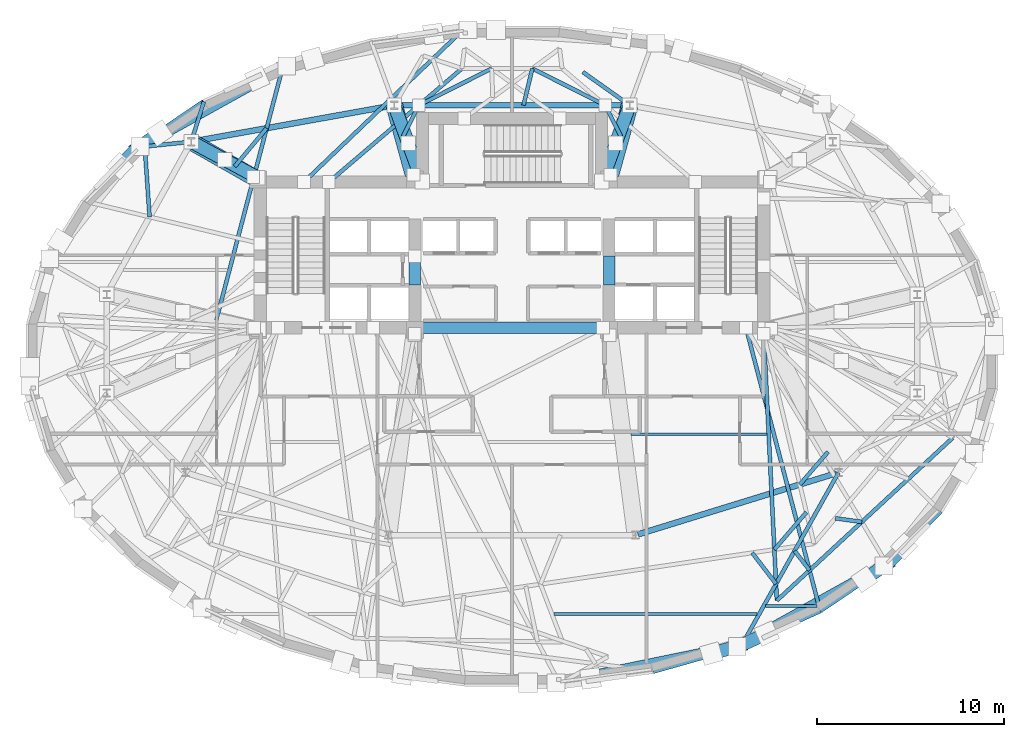
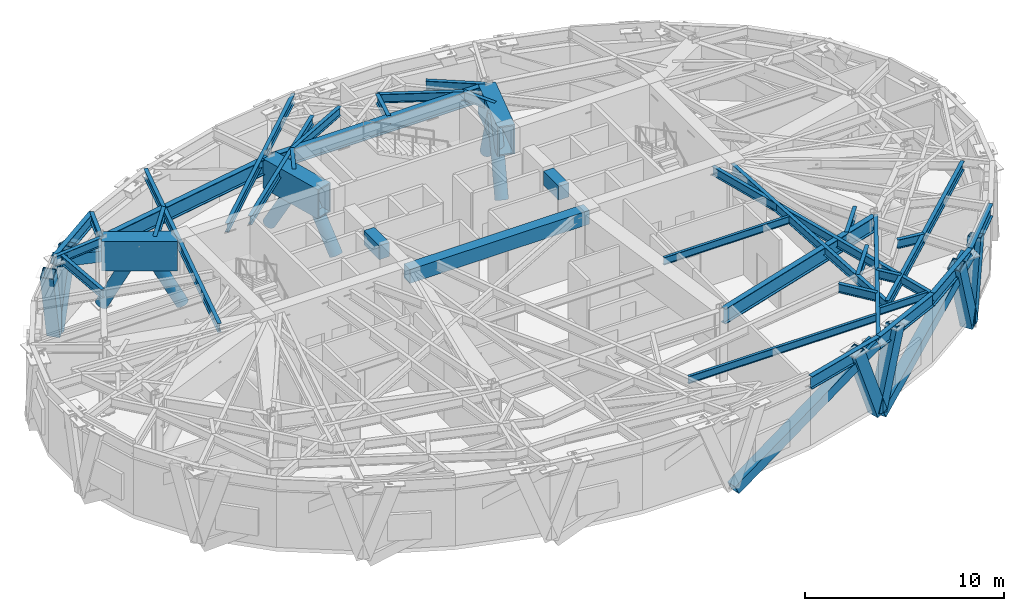
# One storey, part 3 of 13: 39 beams, 15 members.
"""IFC4 building model written with IfcOpenShell, lengths in metres."""

from ifc_helpers import new_model, si_unit, direction, frame, origin, origin_2d, place, context, subcontext, project, spatial, rectangle, hollow_rectangle, hollow_circle, i_section, extrude, material, material_profile, profile_set, type_object, element, save


model = new_model("IFC4")

# Units and contexts
model_context = context("Model", 3, precision=1e-05, world=origin(), true_north=direction((0.0, 1.0)))
body_context = subcontext(model_context, "Body", "Model", "MODEL_VIEW")
ifc_project = project(units=[si_unit("LENGTHUNIT", "METRE"), si_unit("AREAUNIT", "SQUARE_METRE"), si_unit("VOLUMEUNIT", "CUBIC_METRE"), si_unit("PLANEANGLEUNIT", "RADIAN"), si_unit("MASSUNIT", "GRAM", prefix="KILO")], contexts=[model_context])

# Site, building, storey
site_placement = place(None, origin())
site = spatial("IfcSite", under=ifc_project, at=site_placement, CompositionType="ELEMENT")
building_placement = place(site_placement, origin())
building = spatial("IfcBuilding", under=site, at=building_placement, Name="Keldmark Tower", CompositionType="ELEMENT")
storey_placement = place(building_placement, frame((0.0, 0.0, 135.10009765625)))
storey = spatial("IfcBuildingStorey", under=building, at=storey_placement, Name="L36", CompositionType="ELEMENT", Elevation=135.10009765625)

# Members
ifc_material_1 = material(Name="Steel ASTM A572 Grade 50", Category="steel")
ifc_material_profile_1 = material_profile(ifc_material_1, hollow_rectangle(XDim=0.60009765625, YDim=0.60009765625, WallThickness=0.034912109375, at=origin_2d()), Name="BOX600X600X35")
ifc_profile_set_1 = profile_set([ifc_material_profile_1], Name="Steel ASTM A572 Grade 50")
member_type_1 = type_object("IfcMemberType", Name="Belt Truss Diagonal Brace BOX600", PredefinedType="BRACE", material=ifc_profile_set_1)
member_1_placement = place(storey_placement, frame((-12.3974609375, 15.409912109375, -0.5400390625), z_axis=(-0.773682596343, -0.430203298473, 0.465124028727), x_axis=(0.485970599988, -0.873975157512, 0.0)))
element("IfcMember", 1, at=member_1_placement, inside=storey, type_object=member_type_1, Name="L36 Perimeter Belt Truss Brace 06", PredefinedType="BRACE", context=body_context, shape_type="SweptSolid", body=[
    extrude(hollow_rectangle(XDim=0.60009765625, YDim=0.60009765625, WallThickness=0.034912109375, at=origin_2d()), origin(), (0.0, 0.0, 1.0), 9.7177734375),
])
member_2_placement = place(storey_placement, frame((2.742431640625, -17.448486328125, -0.5400390625), z_axis=(0.884550085139, 0.181847127087, 0.429537855434), x_axis=(-0.201370198855, 0.979515208158, 0.0)))
element("IfcMember", 2, at=member_2_placement, inside=storey, type_object=member_type_1, Name="L36 Perimeter Belt Truss Brace 13", PredefinedType="BRACE", context=body_context, shape_type="SweptSolid", body=[
    extrude(hollow_rectangle(XDim=0.60009765625, YDim=0.60009765625, WallThickness=0.034912109375, at=origin_2d()), origin(), (0.0, 0.0, 1.0), 10.52294921875),
])
member_3_placement = place(storey_placement, frame((12.3974609375, -15.409912109375, -0.5400390625), z_axis=(0.773682596343, 0.430203298473, 0.465124028727), x_axis=(-0.485970599988, 0.873975157512, 0.0)))
element("IfcMember", 3, at=member_3_placement, inside=storey, type_object=member_type_1, Name="L36 Perimeter Belt Truss Brace 14", PredefinedType="BRACE", context=body_context, shape_type="SweptSolid", body=[
    extrude(hollow_rectangle(XDim=0.60009765625, YDim=0.60009765625, WallThickness=0.034912109375, at=origin_2d()), origin(), (0.0, 0.0, 1.0), 9.7177734375),
])

# Beams
ifc_material_2 = material(Name="Steel ASTM A992 Grade 50", Category="steel")
ifc_material_profile_2 = material_profile(ifc_material_2, i_section(OverallWidth=0.153076171875, OverallDepth=0.455078125, WebThickness=0.008056640625, FlangeThickness=0.01318359375, at=origin_2d()), Name="W18X40")
ifc_profile_set_2 = profile_set([ifc_material_profile_2], Name="Steel ASTM A992 Grade 50")
beam_type_1 = type_object("IfcBeamType", Name="Composite Floor Joist W18X40", PredefinedType="JOIST", material=ifc_profile_set_2)
beam_1_placement = place(storey_placement, frame((2.239501953125, -13.800048828125, 4.052490234375), z_axis=(1.0, 0.0, 0.0), x_axis=(0.0, 1.0, 0.0)))
element("IfcBeam", 4, at=beam_1_placement, inside=storey, type_object=beam_type_1, Name="L36 Composite Floor Joist J03", PredefinedType="JOIST", context=body_context, shape_type="SweptSolid", body=[
    extrude(i_section(OverallWidth=0.153076171875, OverallDepth=0.455078125, WebThickness=0.008056640625, FlangeThickness=0.01318359375, at=origin_2d()), origin(), (0.0, 0.0, 1.0), 10.881591796875),
])
beam_2_placement = place(storey_placement, frame((13.578125, -13.3798828125, 4.052490234375), z_axis=(1.0, 0.0, 0.0), x_axis=(0.0, 1.0, 0.0)))
element("IfcBeam", 5, at=beam_2_placement, inside=storey, type_object=beam_type_1, Name="L36 Composite Floor Joist J04", PredefinedType="JOIST", context=body_context, shape_type="SweptSolid", body=[
    extrude(i_section(OverallWidth=0.153076171875, OverallDepth=0.455078125, WebThickness=0.008056640625, FlangeThickness=0.01318359375, at=origin_2d()), origin(), (0.0, 0.0, 1.0), 2.753662109375),
])
beam_3_placement = place(storey_placement, frame((6.36279296875, -4.179931640625, 4.052490234375), z_axis=(1.0, 0.0, 0.0), x_axis=(0.0, 1.0, 0.0)))
element("IfcBeam", 6, at=beam_3_placement, inside=storey, type_object=beam_type_1, Name="L36 Composite Floor Joist J08", PredefinedType="JOIST", context=body_context, shape_type="SweptSolid", body=[
    extrude(i_section(OverallWidth=0.153076171875, OverallDepth=0.455078125, WebThickness=0.008056640625, FlangeThickness=0.01318359375, at=origin_2d()), origin(), (0.0, 0.0, 1.0), 7.281005859375),
])
ifc_material_3 = material(Name="Concrete C50/60", Category="concrete")
ifc_material_profile_3 = material_profile(ifc_material_3, rectangle(XDim=0.60009765625, YDim=0.85009765625, at=origin_2d()), Name="RCB600X850")
ifc_profile_set_3 = profile_set([ifc_material_profile_3], Name="Concrete C50/60")
beam_type_2 = type_object("IfcBeamType", Name="Core Coupling Beam RCB600X850", PredefinedType="USERDEFINED", material=ifc_profile_set_3)
for number, where, z_axis, x_axis, name in (
    (7, (-5.199951171875, 3.800048828125, 3.85498046875), (0.0, 1.0, 0.0), (-1.0, 0.0, 0.0), "L36 West Core Coupling Beam"),
    (8, (5.199951171875, 3.800048828125, 3.85498046875), (0.0, 1.0, 0.0), (-1.0, 0.0, 0.0), "L36 East Core Coupling Beam"),
):
    element("IfcBeam", number, at=place(storey_placement, frame(where, z_axis=z_axis, x_axis=x_axis)), inside=storey, type_object=beam_type_2, Name=name, ObjectType="COUPLING BEAM", PredefinedType="USERDEFINED", context=body_context, shape_type="SweptSolid", body=[
        extrude(rectangle(XDim=0.60009765625, YDim=0.85009765625, at=origin_2d()), origin(), (0.0, 0.0, 1.0), 1.550048828125),
    ])
beam_4_placement = place(storey_placement, frame((-5.199951171875, 1.52490234375, 3.85498046875), z_axis=(1.0, 0.0, 0.0), x_axis=(0.0, 1.0, 0.0)))
element("IfcBeam", 9, at=beam_4_placement, inside=storey, type_object=beam_type_2, Name="L36 Central South Core Coupling Beam", ObjectType="COUPLING BEAM", PredefinedType="USERDEFINED", context=body_context, shape_type="SweptSolid", body=[
    extrude(rectangle(XDim=0.60009765625, YDim=0.85009765625, at=origin_2d()), origin(), (0.0, 0.0, 1.0), 10.39990234375),
])

# Members
ifc_material_4 = material(Name="Steel ASTM A572 Grade 50", Category="steel")
ifc_material_profile_4 = material_profile(ifc_material_4, hollow_rectangle(XDim=0.699951171875, YDim=0.699951171875, WallThickness=0.044921875, at=origin_2d()), Name="BOX700X700X45")
ifc_profile_set_4 = profile_set([ifc_material_profile_4], Name="Steel ASTM A572 Grade 50")
member_type_2 = type_object("IfcMemberType", Name="Diagrid Zone 2 Brace BOX700X700X45", PredefinedType="BRACE", material=ifc_profile_set_4)
member_4_placement = place(storey_placement, frame((-20.060302734375, 11.131591796875, -0.320068359375), z_axis=(0.25512105982, 0.17289752784, 0.951325228144), x_axis=(-0.561011794198, 0.82780780787, 0.0)))
element("IfcMember", 10, at=member_4_placement, inside=storey, type_object=member_type_2, Name="L36 Perimeter Diagrid Brace 06B", PredefinedType="BRACE", context=body_context, shape_type="SweptSolid", body=[
    extrude(hollow_rectangle(XDim=0.699951171875, YDim=0.699951171875, WallThickness=0.044921875, at=origin_2d()), origin(), (0.0, 0.0, 1.0), 4.709228515625),
])
member_5_placement = place(storey_placement, frame((-20.052001953125, 11.139892578125, -0.320068359375), z_axis=(-0.201791819377, -0.204662629016, 0.957806488763), x_axis=(0.712083352897, -0.702094935552, 0.0)))
element("IfcMember", 11, at=member_5_placement, inside=storey, type_object=member_type_2, Name="L36 Perimeter Diagrid Brace 07A", PredefinedType="BRACE", context=body_context, shape_type="SweptSolid", body=[
    extrude(hollow_rectangle(XDim=0.699951171875, YDim=0.699951171875, WallThickness=0.044921875, at=origin_2d()), origin(), (0.0, 0.0, 1.0), 4.67724609375),
])
member_6_placement = place(storey_placement, frame((12.239013671875, -15.482177734375, -0.320068359375), z_axis=(-0.329279843453, -0.092382711911, 0.939702197101), x_axis=(0.270129760861, -0.962823925906, 0.0)))
element("IfcMember", 12, at=member_6_placement, inside=storey, type_object=member_type_2, Name="L36 Perimeter Diagrid Brace 13B", PredefinedType="BRACE", context=body_context, shape_type="SweptSolid", body=[
    extrude(hollow_rectangle(XDim=0.699951171875, YDim=0.699951171875, WallThickness=0.044921875, at=origin_2d()), origin(), (0.0, 0.0, 1.0), 4.767333984375),
])
member_7_placement = place(storey_placement, frame((12.22802734375, -15.486572265625, -0.320068359375), z_axis=(0.297968595123, 0.134925288493, 0.944992001472), x_axis=(-0.412497692818, 0.910958645285, 0.0)))
element("IfcMember", 13, at=member_7_placement, inside=storey, type_object=member_type_2, Name="L36 Perimeter Diagrid Brace 14A", PredefinedType="BRACE", context=body_context, shape_type="SweptSolid", body=[
    extrude(hollow_rectangle(XDim=0.699951171875, YDim=0.699951171875, WallThickness=0.044921875, at=origin_2d()), origin(), (0.0, 0.0, 1.0), 4.74072265625),
])
member_8_placement = place(storey_placement, frame((20.060302734375, -11.131591796875, -0.320068359375), z_axis=(-0.25512105982, -0.17289752784, 0.951325228144), x_axis=(0.561011794198, -0.82780780787, 0.0)))
element("IfcMember", 14, at=member_8_placement, inside=storey, type_object=member_type_2, Name="L36 Perimeter Diagrid Brace 14B", PredefinedType="BRACE", context=body_context, shape_type="SweptSolid", body=[
    extrude(hollow_rectangle(XDim=0.699951171875, YDim=0.699951171875, WallThickness=0.044921875, at=origin_2d()), origin(), (0.0, 0.0, 1.0), 4.709228515625),
])
member_9_placement = place(storey_placement, frame((20.052001953125, -11.139892578125, -0.320068359375), z_axis=(0.201791819377, 0.204662629016, 0.957806488763), x_axis=(-0.712083352897, 0.702094935552, 0.0)))
element("IfcMember", 15, at=member_9_placement, inside=storey, type_object=member_type_2, Name="L36 Perimeter Diagrid Brace 15A", PredefinedType="BRACE", context=body_context, shape_type="SweptSolid", body=[
    extrude(hollow_rectangle(XDim=0.699951171875, YDim=0.699951171875, WallThickness=0.044921875, at=origin_2d()), origin(), (0.0, 0.0, 1.0), 4.67724609375),
])

# Beams
ifc_material_5 = material(Name="Steel ASTM A992 Grade 50", Category="steel")
ifc_material_profile_5 = material_profile(ifc_material_5, i_section(OverallWidth=0.31005859375, OverallDepth=0.931884765625, WebThickness=0.02099609375, FlangeThickness=0.034423828125, at=origin_2d()), Name="W36X210")
ifc_profile_set_5 = profile_set([ifc_material_profile_5], Name="Steel ASTM A992 Grade 50")
beam_type_3 = type_object("IfcBeamType", Name="Outrigger Chord Girder W36X210", PredefinedType="BEAM", material=ifc_profile_set_5)
beam_5_placement = place(storey_placement, frame((6.15869140625, 13.4326171875, 3.81396484375), z_axis=(-1.0, 0.0, 0.0), x_axis=(0.0, -1.0, 0.0)))
element("IfcBeam", 16, at=beam_5_placement, inside=storey, type_object=beam_type_3, Name="L36 Floor Ring Girder FG-R03", PredefinedType="BEAM", context=body_context, shape_type="SweptSolid", body=[
    extrude(i_section(OverallWidth=0.31005859375, OverallDepth=0.931884765625, WebThickness=0.02099609375, FlangeThickness=0.034423828125, at=origin_2d()), origin(), (0.0, 0.0, 1.0), 12.3173828125),
])
beam_6_placement = place(storey_placement, frame((-6.4365234375, 13.40771484375, 3.81396484375), z_axis=(-0.984218266992, -0.176958760505, 0.0), x_axis=(0.176958760505, -0.984218266992, 0.0)))
element("IfcBeam", 17, at=beam_6_placement, inside=storey, type_object=beam_type_3, Name="L36 Floor Ring Girder FG-R04", PredefinedType="BEAM", context=body_context, shape_type="SweptSolid", body=[
    extrude(i_section(OverallWidth=0.31005859375, OverallDepth=0.931884765625, WebThickness=0.02099609375, FlangeThickness=0.034423828125, at=origin_2d()), origin(), (0.0, 0.0, 1.0), 10.7626953125),
])
beam_7_placement = place(storey_placement, frame((6.74658203125, -9.5380859375, 3.81396484375), z_axis=(0.955607954968, 0.294641199432, 0.0), x_axis=(-0.294641199432, 0.955607954968, 0.0)))
element("IfcBeam", 18, at=beam_7_placement, inside=storey, type_object=beam_type_3, Name="L36 Floor Ring Girder FG-R10", PredefinedType="BEAM", context=body_context, shape_type="SweptSolid", body=[
    extrude(i_section(OverallWidth=0.31005859375, OverallDepth=0.931884765625, WebThickness=0.02099609375, FlangeThickness=0.034423828125, at=origin_2d()), origin(), (0.0, 0.0, 1.0), 11.089111328125),
])

# Members
ifc_material_6 = material(Name="Steel ASTM A572 Grade 50", Category="steel")
ifc_material_profile_6 = material_profile(ifc_material_6, hollow_circle(Radius=0.35009765625, WallThickness=0.031982421875, at=origin_2d()), Name="CHS700X32")
ifc_profile_set_6 = profile_set([ifc_material_profile_6], Name="Steel ASTM A572 Grade 50")
member_type_3 = type_object("IfcMemberType", Name="Outrigger Web Strut CHS700X32", PredefinedType="STRUT", material=ifc_profile_set_6)
for number, where, z_axis, x_axis, name in (
    (19, (-13.60009765625, 9.550048828125, 0.14990234375), (-0.411543763932, 0.222475882788, 0.883819105896), (-0.475549777611, -0.879688813737, 0.0), "L36 Core Outrigger Truss Strut 03A"),
    (20, (-17.1669921875, 11.478271484375, 0.14990234375), (0.411543763932, -0.222475882788, 0.883819105896), (0.475549777611, 0.879688813737, 0.0), "L36 Core Outrigger Truss Strut 03B"),
):
    element("IfcMember", number, at=place(storey_placement, frame(where, z_axis=z_axis, x_axis=x_axis)), inside=storey, type_object=member_type_3, Name=name, PredefinedType="STRUT", context=body_context, shape_type="SweptSolid", body=[
        extrude(hollow_circle(Radius=0.35009765625, WallThickness=0.031982421875, at=origin_2d()), origin(), (0.0, 0.0, 1.0), 4.33349609375),
    ])
member_10_placement = place(storey_placement, frame((-4.800048828125, 9.35009765625, 0.14990234375), z_axis=(-0.170127151433, 0.463428799602, 0.869649642123), x_axis=(-0.938743169615, -0.344617558319, 0.0)))
element("IfcMember", 21, at=member_10_placement, inside=storey, type_object=member_type_3, Name="L36 Core Outrigger Truss Strut 04A", PredefinedType="STRUT", context=body_context, shape_type="SweptSolid", body=[
    extrude(hollow_circle(Radius=0.35009765625, WallThickness=0.031982421875, at=origin_2d()), origin(), (0.0, 0.0, 1.0), 4.404052734375),
])
member_11_placement = place(storey_placement, frame((-6.298828125, 13.4326171875, 0.14990234375), z_axis=(0.170172236278, -0.463511478748, 0.869596756589), x_axis=(0.938733516428, 0.344643852599, 0.0)))
element("IfcMember", 22, at=member_11_placement, inside=storey, type_object=member_type_3, Name="L36 Core Outrigger Truss Strut 04B", PredefinedType="STRUT", context=body_context, shape_type="SweptSolid", body=[
    extrude(hollow_circle(Radius=0.35009765625, WallThickness=0.031982421875, at=origin_2d()), origin(), (0.0, 0.0, 1.0), 4.404541015625),
])
member_12_placement = place(storey_placement, frame((4.800048828125, 9.35009765625, 0.14990234375), z_axis=(0.170127151433, 0.463428799602, 0.869649642123), x_axis=(-0.938743169615, 0.344617558319, 0.0)))
element("IfcMember", 23, at=member_12_placement, inside=storey, type_object=member_type_3, Name="L36 Core Outrigger Truss Strut 08A", PredefinedType="STRUT", context=body_context, shape_type="SweptSolid", body=[
    extrude(hollow_circle(Radius=0.35009765625, WallThickness=0.031982421875, at=origin_2d()), origin(), (0.0, 0.0, 1.0), 4.404052734375),
])
member_13_placement = place(storey_placement, frame((6.298828125, 13.4326171875, 0.14990234375), z_axis=(-0.170172236278, -0.463511478748, 0.869596756589), x_axis=(0.938733516428, -0.344643852599, 0.0)))
element("IfcMember", 24, at=member_13_placement, inside=storey, type_object=member_type_3, Name="L36 Core Outrigger Truss Strut 08B", PredefinedType="STRUT", context=body_context, shape_type="SweptSolid", body=[
    extrude(hollow_circle(Radius=0.35009765625, WallThickness=0.031982421875, at=origin_2d()), origin(), (0.0, 0.0, 1.0), 4.404541015625),
])

# Beams
ifc_material_7 = material(Name="Steel ASTM A572 Grade 50", Category="steel")
ifc_material_profile_7 = material_profile(ifc_material_7, hollow_rectangle(XDim=0.89990234375, YDim=1.800048828125, WallThickness=0.074951171875, at=origin_2d()), Name="TBOX1800X900X75")
ifc_profile_set_7 = profile_set([ifc_material_profile_7], Name="Steel ASTM A572 Grade 50")
beam_type_4 = type_object("IfcBeamType", Name="Perimeter Transfer Box Girder 1800x900", PredefinedType="USERDEFINED", material=ifc_profile_set_7)
for number, where, z_axis, x_axis, name in (
    (25, (6.298828125, 13.4326171875, 3.3798828125), (-0.265985873859, -0.963976926543, 0.0), (0.963976926543, -0.265985873859, 0.0), "L36 Upper Crown Transfer Box Girder UTB-TC-N2"),
    (26, (-6.298828125, 13.4326171875, 3.3798828125), (0.265985873859, -0.963976926543, 0.0), (0.963976926543, 0.265985873859, 0.0), "L36 Upper Crown Transfer Box Girder UTB-TC-N1"),
):
    element("IfcBeam", number, at=place(storey_placement, frame(where, z_axis=z_axis, x_axis=x_axis)), inside=storey, type_object=beam_type_4, Name=name, ObjectType="TRANSFER GIRDER", PredefinedType="USERDEFINED", context=body_context, shape_type="SweptSolid", body=[
        extrude(hollow_rectangle(XDim=0.89990234375, YDim=1.800048828125, WallThickness=0.074951171875, at=origin_2d()), origin(), (0.0, 0.0, 1.0), 3.851318359375),
    ])
beam_8_placement = place(storey_placement, frame((-17.1669921875, 11.478271484375, 3.3798828125), z_axis=(0.869282586619, -0.494315470728, 0.0), x_axis=(0.494315470728, 0.869282586619, 0.0)))
element("IfcBeam", 27, at=beam_8_placement, inside=storey, type_object=beam_type_4, Name="L36 Upper Crown Transfer Box Girder UTB-TC-W4", ObjectType="TRANSFER GIRDER", PredefinedType="USERDEFINED", context=body_context, shape_type="SweptSolid", body=[
    extrude(hollow_rectangle(XDim=0.89990234375, YDim=1.800048828125, WallThickness=0.074951171875, at=origin_2d()), origin(), (0.0, 0.0, 1.0), 3.8232421875),
])
ifc_material_8 = material(Name="Steel ASTM A992 Grade 50", Category="steel")
ifc_material_profile_8 = material_profile(ifc_material_8, i_section(OverallWidth=0.2099609375, OverallDepth=0.537109375, WebThickness=0.010986328125, FlangeThickness=0.017333984375, at=origin_2d()), Name="W21X68")
ifc_profile_set_8 = profile_set([ifc_material_profile_8], Name="Steel ASTM A992 Grade 50")
beam_type_5 = type_object("IfcBeamType", Name="Radial Tie Girder W21X68", PredefinedType="BEAM", material=ifc_profile_set_8)
for number, where, z_axis, x_axis, name in (
    (28, (5.837890625, 11.76171875, 4.011474609375), (-0.454487201878, 0.890753267369, 0.0), (-0.890753267369, -0.454487201878, 0.0), "L36 Framing Pin Header PH-001"),
    (29, (-5.837890625, 11.76171875, 4.011474609375), (0.454487201878, 0.890753267369, 0.0), (-0.890753267369, 0.454487201878, 0.0), "L36 Framing Pin Header PH-002"),
):
    element("IfcBeam", number, at=place(storey_placement, frame(where, z_axis=z_axis, x_axis=x_axis)), inside=storey, type_object=beam_type_5, Name=name, PredefinedType="BEAM", context=body_context, shape_type="SweptSolid", body=[
        extrude(i_section(OverallWidth=0.2099609375, OverallDepth=0.537109375, WebThickness=0.010986328125, FlangeThickness=0.017333984375, at=origin_2d()), origin(), (0.0, 0.0, 1.0), 1.875732421875),
    ])
beam_9_placement = place(storey_placement, frame((-9.8037109375, 9.324951171875, 4.011474609375), z_axis=(0.760995251501, 0.648757448661, 0.0), x_axis=(-0.648757448661, 0.760995251501, 0.0)))
element("IfcBeam", 30, at=beam_9_placement, inside=storey, type_object=beam_type_5, Name="L36 Sub-Ring Step Girder STP1-M04", PredefinedType="BEAM", context=body_context, shape_type="SweptSolid", body=[
    extrude(i_section(OverallWidth=0.2099609375, OverallDepth=0.537109375, WebThickness=0.010986328125, FlangeThickness=0.017333984375, at=origin_2d()), origin(), (0.0, 0.0, 1.0), 9.362060546875),
])
beam_10_placement = place(storey_placement, frame((16.914794921875, -5.12255859375, 4.011474609375), z_axis=(-0.653991620174, -0.756501791632, 0.0), x_axis=(0.756501791632, -0.653991620174, 0.0)))
element("IfcBeam", 31, at=beam_10_placement, inside=storey, type_object=beam_type_5, Name="L36 Framing Pin Header PH-006", PredefinedType="BEAM", context=body_context, shape_type="SweptSolid", body=[
    extrude(i_section(OverallWidth=0.2099609375, OverallDepth=0.537109375, WebThickness=0.010986328125, FlangeThickness=0.017333984375, at=origin_2d()), origin(), (0.0, 0.0, 1.0), 2.307861328125),
])
beam_11_placement = place(storey_placement, frame((15.76025390625, -8.350341796875, 4.011474609375), z_axis=(-0.651516031261, -0.758634866724, 0.0), x_axis=(0.758634866724, -0.651516031261, 0.0)))
element("IfcBeam", 32, at=beam_11_placement, inside=storey, type_object=beam_type_5, Name="L36 Framing Pin Header PH-013", PredefinedType="BEAM", context=body_context, shape_type="SweptSolid", body=[
    extrude(i_section(OverallWidth=0.2099609375, OverallDepth=0.537109375, WebThickness=0.010986328125, FlangeThickness=0.017333984375, at=origin_2d()), origin(), (0.0, 0.0, 1.0), 2.634765625),
])
beam_12_placement = place(storey_placement, frame((13.47509765625, 1.199951171875, 4.011474609375), z_axis=(0.049187993665, -0.998789538031, 0.0), x_axis=(0.998789538031, 0.049187993665, 0.0)))
element("IfcBeam", 33, at=beam_12_placement, inside=storey, type_object=beam_type_5, Name="L36 Sub-Ring Step Girder STP2-M11", PredefinedType="BEAM", context=body_context, shape_type="SweptSolid", body=[
    extrude(i_section(OverallWidth=0.2099609375, OverallDepth=0.537109375, WebThickness=0.010986328125, FlangeThickness=0.017333984375, at=origin_2d()), origin(), (0.0, 0.0, 1.0), 14.294677734375),
])
beam_13_placement = place(storey_placement, frame((14.17822265625, -13.077392578125, 4.011474609375), z_axis=(0.733970557795, 0.679181286764, 0.0), x_axis=(-0.679181286764, 0.733970557795, 0.0)))
element("IfcBeam", 34, at=beam_13_placement, inside=storey, type_object=beam_type_5, Name="L36 Perimeter Collector Ring Beam CRG2-M11", PredefinedType="BEAM", context=body_context, shape_type="SweptSolid", body=[
    extrude(i_section(OverallWidth=0.2099609375, OverallDepth=0.537109375, WebThickness=0.010986328125, FlangeThickness=0.017333984375, at=origin_2d()), origin(), (0.0, 0.0, 1.0), 12.81982421875),
])
beam_14_placement = place(storey_placement, frame((0.615966796875, 13.4326171875, 4.011474609375), z_axis=(0.234089763031, 0.972214987976, 0.0), x_axis=(-0.972214987976, 0.234089763031, 0.0)))
element("IfcBeam", 35, at=beam_14_placement, inside=storey, type_object=beam_type_5, Name="L36 Framing Pin Header PH-018", PredefinedType="BEAM", context=body_context, shape_type="SweptSolid", body=[
    extrude(i_section(OverallWidth=0.2099609375, OverallDepth=0.537109375, WebThickness=0.010986328125, FlangeThickness=0.017333984375, at=origin_2d()), origin(), (0.0, 0.0, 1.0), 2.022216796875),
])
beam_15_placement = place(storey_placement, frame((-14.840576171875, 10.155517578125, 4.011474609375), z_axis=(0.640634384202, 0.767846069065, 0.0), x_axis=(-0.767846069065, 0.640634384202, 0.0)))
element("IfcBeam", 36, at=beam_15_placement, inside=storey, type_object=beam_type_5, Name="L36 Framing Pin Header PH-020", PredefinedType="BEAM", context=body_context, shape_type="SweptSolid", body=[
    extrude(i_section(OverallWidth=0.2099609375, OverallDepth=0.537109375, WebThickness=0.010986328125, FlangeThickness=0.017333984375, at=origin_2d()), origin(), (0.0, 0.0, 1.0), 2.667724609375),
])
beam_16_placement = place(storey_placement, frame((-15.82861328125, 1.92578125, 4.011474609375), z_axis=(0.253808468075, 0.967254496776, 0.0), x_axis=(-0.967254496776, 0.253808468075, 0.0)))
element("IfcBeam", 37, at=beam_16_placement, inside=storey, type_object=beam_type_5, Name="L36 Perimeter Radial Tie Girder RT-11", PredefinedType="BEAM", context=body_context, shape_type="SweptSolid", body=[
    extrude(i_section(OverallWidth=0.2099609375, OverallDepth=0.537109375, WebThickness=0.010986328125, FlangeThickness=0.017333984375, at=origin_2d()), origin(), (0.0, 0.0, 1.0), 14.07470703125),
])
beam_17_placement = place(storey_placement, frame((-17.1669921875, 11.478271484375, 4.011474609375), z_axis=(0.299673911383, 0.954041690303, 0.0), x_axis=(-0.954041690303, 0.299673911383, 0.0)))
element("IfcBeam", 38, at=beam_17_placement, inside=storey, type_object=beam_type_5, Name="L36 Perimeter Column Bracket RT-12", PredefinedType="BEAM", context=body_context, shape_type="SweptSolid", body=[
    extrude(i_section(OverallWidth=0.2099609375, OverallDepth=0.537109375, WebThickness=0.010986328125, FlangeThickness=0.017333984375, at=origin_2d()), origin(), (0.0, 0.0, 1.0), 2.245361328125),
])
beam_18_placement = place(storey_placement, frame((-17.1669921875, 11.478271484375, 4.011474609375), z_axis=(-0.994793936975, -0.101906932829, 0.0), x_axis=(0.101906932829, -0.994793936975, 0.0)))
element("IfcBeam", 39, at=beam_18_placement, inside=storey, type_object=beam_type_5, Name="L36 Perimeter Column Bracket RT-13", PredefinedType="BEAM", context=body_context, shape_type="SweptSolid", body=[
    extrude(i_section(OverallWidth=0.2099609375, OverallDepth=0.537109375, WebThickness=0.010986328125, FlangeThickness=0.017333984375, at=origin_2d()), origin(), (0.0, 0.0, 1.0), 2.94677734375),
])
beam_19_placement = place(storey_placement, frame((-19.65869140625, 11.222900390625, 4.011474609375), z_axis=(0.068977361746, -0.997618225358, 0.0), x_axis=(0.997618225358, 0.068977361746, 0.0)))
element("IfcBeam", 40, at=beam_19_placement, inside=storey, type_object=beam_type_5, Name="L36 Framing Pin Header PH-021", PredefinedType="BEAM", context=body_context, shape_type="SweptSolid", body=[
    extrude(i_section(OverallWidth=0.2099609375, OverallDepth=0.537109375, WebThickness=0.010986328125, FlangeThickness=0.017333984375, at=origin_2d()), origin(), (0.0, 0.0, 1.0), 3.776611328125),
])
beam_20_placement = place(storey_placement, frame((12.857666015625, -10.5244140625, 4.011474609375), z_axis=(0.608360722771, -0.793660652288, 0.0), x_axis=(0.793660652288, 0.608360722771, 0.0)))
element("IfcBeam", 41, at=beam_20_placement, inside=storey, type_object=beam_type_5, Name="L36 Framing Pin Header PH-033", PredefinedType="BEAM", context=body_context, shape_type="SweptSolid", body=[
    extrude(i_section(OverallWidth=0.2099609375, OverallDepth=0.537109375, WebThickness=0.010986328125, FlangeThickness=0.017333984375, at=origin_2d()), origin(), (0.0, 0.0, 1.0), 2.098876953125),
])
beam_21_placement = place(storey_placement, frame((17.477294921875, -6.2294921875, 4.011474609375), z_axis=(-0.489124943629, -0.872213729266, 0.0), x_axis=(0.872213729266, -0.489124943629, 0.0)))
element("IfcBeam", 42, at=beam_21_placement, inside=storey, type_object=beam_type_5, Name="L36 Perimeter Radial Tie Girder RT-27", PredefinedType="BEAM", context=body_context, shape_type="SweptSolid", body=[
    extrude(i_section(OverallWidth=0.2099609375, OverallDepth=0.537109375, WebThickness=0.010986328125, FlangeThickness=0.017333984375, at=origin_2d()), origin(), (0.0, 0.0, 1.0), 10.674072265625),
])
beam_22_placement = place(storey_placement, frame((15.127685546875, -10.419189453125, 4.011474609375), z_axis=(0.60987268989, -0.792499401972, 0.0), x_axis=(0.792499401972, 0.60987268989, 0.0)))
element("IfcBeam", 43, at=beam_22_placement, inside=storey, type_object=beam_type_5, Name="L36 Framing Pin Header PH-034", PredefinedType="BEAM", context=body_context, shape_type="SweptSolid", body=[
    extrude(i_section(OverallWidth=0.2099609375, OverallDepth=0.537109375, WebThickness=0.010986328125, FlangeThickness=0.017333984375, at=origin_2d()), origin(), (0.0, 0.0, 1.0), 1.3115234375),
])
beam_23_placement = place(storey_placement, frame((12.52490234375, 1.52490234375, 4.011474609375), z_axis=(0.253516082697, -0.967331171737, 0.0), x_axis=(0.967331171737, 0.253516082697, 0.0)))
element("IfcBeam", 44, at=beam_23_placement, inside=storey, type_object=beam_type_5, Name="L36 Perimeter Radial Tie Girder RT-28", PredefinedType="BEAM", context=body_context, shape_type="SweptSolid", body=[
    extrude(i_section(OverallWidth=0.2099609375, OverallDepth=0.537109375, WebThickness=0.010986328125, FlangeThickness=0.017333984375, at=origin_2d()), origin(), (0.0, 0.0, 1.0), 15.65673828125),
])
beam_24_placement = place(storey_placement, frame((17.30517578125, -8.67578125, 4.011474609375), z_axis=(0.990603610535, -0.136764347676, 0.0), x_axis=(0.136764347676, 0.990603610535, 0.0)))
element("IfcBeam", 45, at=beam_24_placement, inside=storey, type_object=beam_type_5, Name="L36 Framing Pin Header PH-035", PredefinedType="BEAM", context=body_context, shape_type="SweptSolid", body=[
    extrude(i_section(OverallWidth=0.2099609375, OverallDepth=0.537109375, WebThickness=0.010986328125, FlangeThickness=0.017333984375, at=origin_2d()), origin(), (0.0, 0.0, 1.0), 1.431640625),
])
beam_25_placement = place(storey_placement, frame((4.9853515625, 13.4326171875, 4.011474609375), z_axis=(-0.892765096878, 0.450522454265, 0.0), x_axis=(-0.450522454265, -0.892765096878, 0.0)))
element("IfcBeam", 46, at=beam_25_placement, inside=storey, type_object=beam_type_5, Name="L36 Straddling Support Chord RT-08RB", PredefinedType="BEAM", context=body_context, shape_type="SweptSolid", body=[
    extrude(i_section(OverallWidth=0.2099609375, OverallDepth=0.537109375, WebThickness=0.010986328125, FlangeThickness=0.017333984375, at=origin_2d()), origin(), (0.0, 0.0, 1.0), 4.364013671875),
])
beam_26_placement = place(storey_placement, frame((6.298828125, 13.4326171875, 4.011474609375), z_axis=(-0.815657187532, 0.578535523912, 0.0), x_axis=(-0.578535523912, -0.815657187532, 0.0)))
element("IfcBeam", 47, at=beam_26_placement, inside=storey, type_object=beam_type_5, Name="L36 Column Step Bracket RT-08RS", PredefinedType="BEAM", context=body_context, shape_type="SweptSolid", body=[
    extrude(i_section(OverallWidth=0.2099609375, OverallDepth=0.537109375, WebThickness=0.010986328125, FlangeThickness=0.017333984375, at=origin_2d()), origin(), (0.0, 0.0, 1.0), 3.0712890625),
])
beam_27_placement = place(storey_placement, frame((-1.08935546875, 15.398681640625, 4.011474609375), z_axis=(-0.892765096878, -0.450522454265, 0.0), x_axis=(0.450522454265, -0.892765096878, 0.0)))
element("IfcBeam", 48, at=beam_27_placement, inside=storey, type_object=beam_type_5, Name="L36 Straddling Support Chord RT-09RB", PredefinedType="BEAM", context=body_context, shape_type="SweptSolid", body=[
    extrude(i_section(OverallWidth=0.2099609375, OverallDepth=0.537109375, WebThickness=0.010986328125, FlangeThickness=0.017333984375, at=origin_2d()), origin(), (0.0, 0.0, 1.0), 4.364013671875),
])
beam_28_placement = place(storey_placement, frame((-11.1357421875, 9.324951171875, 4.011474609375), z_axis=(0.72280294607, 0.691054195525, 0.0), x_axis=(-0.691054195525, 0.72280294607, 0.0)))
element("IfcBeam", 49, at=beam_28_placement, inside=storey, type_object=beam_type_5, Name="L36 Perimeter Radial Tie Girder RT-09R", PredefinedType="BEAM", context=body_context, shape_type="SweptSolid", body=[
    extrude(i_section(OverallWidth=0.2099609375, OverallDepth=0.537109375, WebThickness=0.010986328125, FlangeThickness=0.017333984375, at=origin_2d()), origin(), (0.0, 0.0, 1.0), 11.880615234375),
])
ifc_material_9 = material(Name="Steel ASTM A992 Grade 50", Category="steel")
ifc_material_profile_9 = material_profile(ifc_material_9, i_section(OverallWidth=0.26806640625, OverallDepth=0.77001953125, WebThickness=0.015625, FlangeThickness=0.025390625, at=origin_2d()), Name="W30X132")
ifc_profile_set_9 = profile_set([ifc_material_profile_9], Name="Steel ASTM A992 Grade 50")
beam_type_6 = type_object("IfcBeamType", Name="Spandrel Ring Beam W30X132", PredefinedType="SPANDREL", material=ifc_profile_set_9)
beam_29_placement = place(storey_placement, frame((-16.494140625, 13.620361328125, 3.89501953125), z_axis=(-0.827833848723, -0.560973367379, 0.0), x_axis=(0.560973367379, -0.827833848723, 0.0)))
element("IfcBeam", 50, at=beam_29_placement, inside=storey, type_object=beam_type_6, Name="L36 Perimeter Spandrel Ring Beam SRB-12", PredefinedType="SPANDREL", context=body_context, shape_type="SweptSolid", body=[
    extrude(i_section(OverallWidth=0.26806640625, OverallDepth=0.77001953125, WebThickness=0.015625, FlangeThickness=0.025390625, at=origin_2d()), origin(), (0.0, 0.0, 1.0), 4.353759765625),
])
beam_30_placement = place(storey_placement, frame((7.54736328125, -16.861328125, 3.89501953125), z_axis=(0.962790668442, 0.270248272446, 0.0), x_axis=(-0.270248272446, 0.962790668442, 0.0)))
element("IfcBeam", 51, at=beam_30_placement, inside=storey, type_object=beam_type_6, Name="L36 Perimeter Spandrel Ring Beam SRB-26", PredefinedType="SPANDREL", context=body_context, shape_type="SweptSolid", body=[
    extrude(i_section(OverallWidth=0.26806640625, OverallDepth=0.77001953125, WebThickness=0.015625, FlangeThickness=0.025390625, at=origin_2d()), origin(), (0.0, 0.0, 1.0), 4.890869140625),
])
beam_31_placement = place(storey_placement, frame((12.25634765625, -15.53955078125, 3.89501953125), z_axis=(0.910938924115, 0.412541242221, 0.0), x_axis=(-0.412541242221, 0.910938924115, 0.0)))
element("IfcBeam", 52, at=beam_31_placement, inside=storey, type_object=beam_type_6, Name="L36 Perimeter Spandrel Ring Beam SRB-27", PredefinedType="SPANDREL", context=body_context, shape_type="SweptSolid", body=[
    extrude(i_section(OverallWidth=0.26806640625, OverallDepth=0.77001953125, WebThickness=0.015625, FlangeThickness=0.025390625, at=origin_2d()), origin(), (0.0, 0.0, 1.0), 4.652099609375),
])
beam_32_placement = place(storey_placement, frame((16.494140625, -13.620361328125, 3.89501953125), z_axis=(0.827833848723, 0.560973367379, 0.0), x_axis=(-0.560973367379, 0.827833848723, 0.0)))
element("IfcBeam", 53, at=beam_32_placement, inside=storey, type_object=beam_type_6, Name="L36 Perimeter Spandrel Ring Beam SRB-28", PredefinedType="SPANDREL", context=body_context, shape_type="SweptSolid", body=[
    extrude(i_section(OverallWidth=0.26806640625, OverallDepth=0.77001953125, WebThickness=0.015625, FlangeThickness=0.025390625, at=origin_2d()), origin(), (0.0, 0.0, 1.0), 4.353759765625),
])
beam_33_placement = place(storey_placement, frame((20.098388671875, -11.177978515625, 3.89501953125), z_axis=(0.702064671311, 0.712113191352, 0.0), x_axis=(-0.712113191352, 0.702064671311, 0.0)))
element("IfcBeam", 54, at=beam_33_placement, inside=storey, type_object=beam_type_6, Name="L36 Perimeter Spandrel Ring Beam SRB-29", PredefinedType="SPANDREL", context=body_context, shape_type="SweptSolid", body=[
    extrude(i_section(OverallWidth=0.26806640625, OverallDepth=0.77001953125, WebThickness=0.015625, FlangeThickness=0.025390625, at=origin_2d()), origin(), (0.0, 0.0, 1.0), 4.033203125),
])

save(model, "model.ifc")
